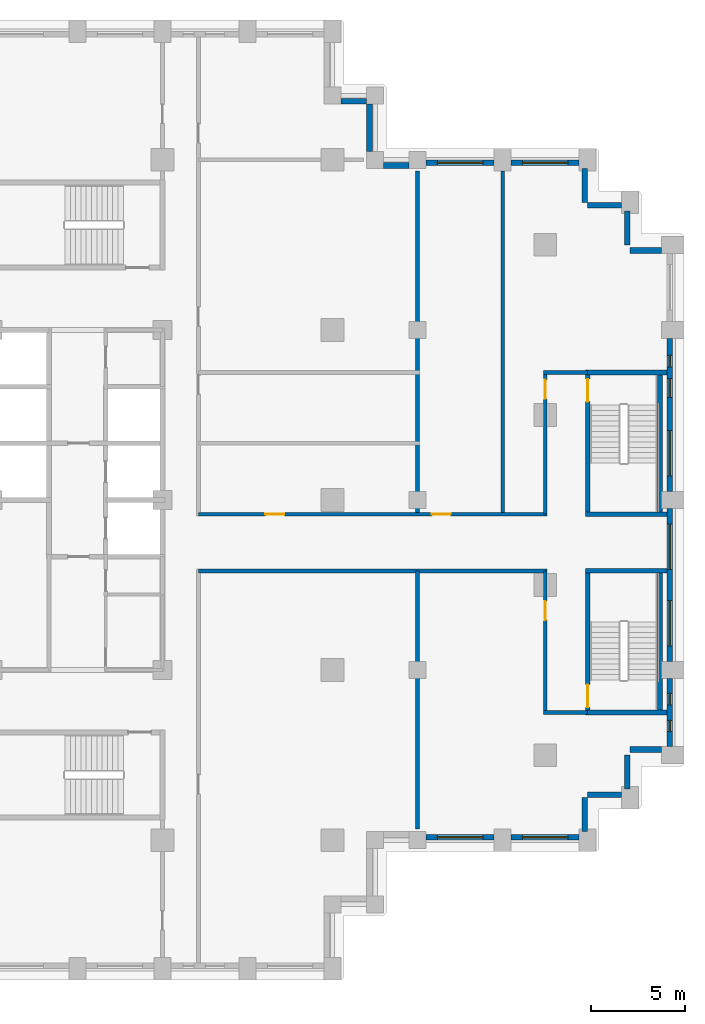
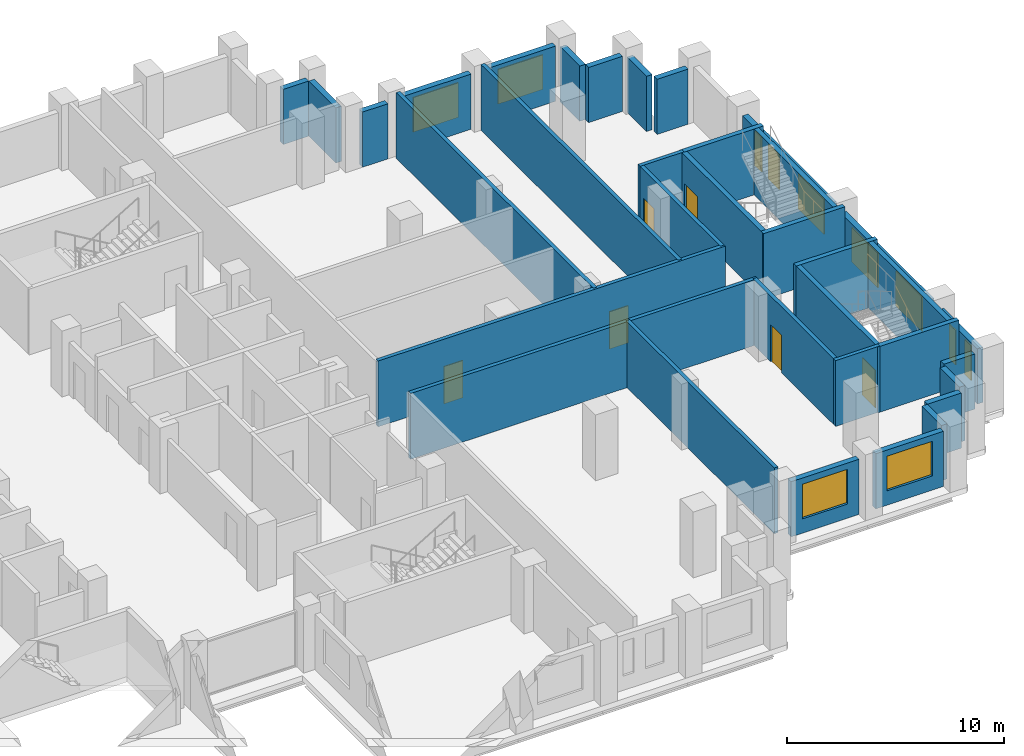
# One storey, part 11 of 15: 35 walls, 11 windows, 6 doors, 17 openings.
"""IFC4 building model written with IfcOpenShell, lengths in metres."""

import ifcopenshell
import ifcopenshell.guid

model = None  # the IFC model being written
_history = None  # IfcOwnerHistory: only IFC2X3 demands one
_inside = {}  # id of a spatial element -> (the spatial element, [elements in it])
_under = {}  # id of a project, library or spatial element -> (it, [spatial elements below it])
_declared = {}  # id of a project -> (the project, [libraries it declares])
_typed = {}  # id of a type object -> (the type object, [elements of that type])
_made_of = {}  # id of a material, layer set ... -> (it, [elements and type objects made of it])


def new_model(schema):
    """Start an empty IFC model of exactly this schema.

    Asked for "IFC4X3", IfcOpenShell would pick the latest addendum, in which some entities
    have other attributes; the version numbers below select the first issue.
    IFC2X3 requires an IfcOwnerHistory on every rooted entity: one is made here for all.
    """
    global model, _history
    if schema == "IFC4X3":
        model = ifcopenshell.file(schema_version=(4, 3, 0, 0))
    else:
        model = ifcopenshell.file(schema=schema)
    _inside.clear()
    _under.clear()
    _declared.clear()
    _typed.clear()
    _made_of.clear()
    _history = None
    if model.schema == "IFC2X3":
        org = make("IfcOrganization", Name="unknown")
        user = make(
            "IfcPersonAndOrganization",
            ThePerson=make("IfcPerson", FamilyName="unknown"),
            TheOrganization=org,
        )
        app = make(
            "IfcApplication",
            ApplicationDeveloper=org,
            Version="unknown",
            ApplicationFullName="unknown",
            ApplicationIdentifier="unknown",
        )
        _history = make(
            "IfcOwnerHistory",
            OwningUser=user,
            OwningApplication=app,
            ChangeAction="ADDED",
            CreationDate=0,
        )
    return model


def make(cls, **values):
    """One entity of the class cls with the attributes given. An attribute that is None is left unset."""
    return model.create_entity(
        cls, **{name: value for name, value in values.items() if value is not None}
    )


def rooted(cls, **values):
    """An entity with a GlobalId (a new one), such as an element, a storey or a relation."""
    return make(cls, GlobalId=ifcopenshell.guid.new(), OwnerHistory=_history, **values)


def si_unit(unit_type, name, prefix=None):
    """IfcSIUnit, for example si_unit("LENGTHUNIT", "METRE", prefix="MILLI")."""
    return make("IfcSIUnit", UnitType=unit_type, Prefix=prefix, Name=name)


def assignment(units):
    """IfcUnitAssignment: the units of a project."""
    return None if units is None else make("IfcUnitAssignment", Units=units)


def point(xyz):
    """IfcCartesianPoint."""
    return None if xyz is None else make("IfcCartesianPoint", Coordinates=xyz)


def direction(xyz):
    """IfcDirection."""
    return None if xyz is None else make("IfcDirection", DirectionRatios=xyz)


def frame(location, z_axis=None, x_axis=None):
    """IfcAxis2Placement3D, a coordinate frame: its origin and axes. An axis left out is left unset."""
    return make(
        "IfcAxis2Placement3D",
        Location=point(location),
        Axis=direction(z_axis),
        RefDirection=direction(x_axis),
    )


def frame_2d(location, x_axis=None):
    """IfcAxis2Placement2D, a coordinate frame in the plane: its origin and x axis."""
    return make(
        "IfcAxis2Placement2D", Location=point(location), RefDirection=direction(x_axis)
    )


def origin():
    """The frame at (0, 0, 0) with its axes left unset."""
    return frame((0.0, 0.0, 0.0))


def place(relative_to, where):
    """IfcLocalPlacement: puts the frame where relative to a parent placement (None: the world)."""
    return make(
        "IfcLocalPlacement", PlacementRelTo=relative_to, RelativePlacement=where
    )


def context(
    kind, dimensions, precision=None, world=None, true_north=None, identifier=None
):
    """IfcGeometricRepresentationContext, for example the 3D "Model" context."""
    return make(
        "IfcGeometricRepresentationContext",
        ContextIdentifier=identifier,
        ContextType=kind,
        CoordinateSpaceDimension=dimensions,
        Precision=precision,
        WorldCoordinateSystem=world,
        TrueNorth=true_north,
    )


def subcontext(parent, identifier, kind, view, scale=None):
    """IfcGeometricRepresentationSubContext, for example "Body" below "Model"."""
    return make(
        "IfcGeometricRepresentationSubContext",
        ContextIdentifier=identifier,
        ContextType=kind,
        ParentContext=parent,
        TargetScale=scale,
        TargetView=view,
    )


def project(units=None, contexts=None):
    """IfcProject with its units and contexts."""
    return rooted(
        "IfcProject",
        Name="project",
        RepresentationContexts=contexts,
        UnitsInContext=assignment(units),
    )


def spatial(cls, under=None, at=None, **own):
    """A site, building, storey or space (cls), placed at a placement, below another one or the project."""
    s = rooted(cls, ObjectPlacement=at, **own)
    if under is not None:
        _under.setdefault(under.id(), (under, []))[1].append(s)
    return s


def profile(cls, at=None, kind="AREA", **sizes):
    """A parametric profile (cls). Its sizes go by their IFC names, for example OverallWidth=200.0."""
    return make(cls, ProfileType=kind, Position=at, **sizes)


def rectangle(**sizes):
    """IfcRectangleProfileDef."""
    return profile("IfcRectangleProfileDef", **sizes)


def extrude(swept, where, along, depth):
    """IfcExtrudedAreaSolid: the profile swept, set in the frame where, extruded along a direction by depth."""
    return make(
        "IfcExtrudedAreaSolid",
        SweptArea=swept,
        Position=where,
        ExtrudedDirection=direction(along),
        Depth=depth,
    )


def shape(context_of_items, identifier, shape_type, items):
    """IfcShapeRepresentation: the items that make up one representation, for example the "Body"."""
    return make(
        "IfcShapeRepresentation",
        ContextOfItems=context_of_items,
        RepresentationIdentifier=identifier,
        RepresentationType=shape_type,
        Items=items,
    )


def material(Name=None, Category=None):
    """IfcMaterial."""
    return make("IfcMaterial", Name=Name, Category=Category)


def layer(
    of_material, thickness, ventilated=None, Name=None, Category=None, Priority=None
):
    """IfcMaterialLayer: one layer of a wall or slab, of a material (None: an air gap)."""
    return make(
        "IfcMaterialLayer",
        Material=of_material,
        LayerThickness=thickness,
        IsVentilated=ventilated,
        Name=Name,
        Category=Category,
        Priority=Priority,
    )


def layer_set(layers, Name=None):
    """IfcMaterialLayerSet."""
    return make("IfcMaterialLayerSet", MaterialLayers=layers, LayerSetName=Name)


def made_of(thing, what):
    """Note that an element or type object is made of a material, layer set ...; save() writes the relation."""
    if what is not None:
        _made_of.setdefault(what.id(), (what, []))[1].append(thing)
    return thing


def type_object(cls, material=None, **own):
    """A type object (cls), such as IfcWallType, which elements share."""
    return made_of(rooted(cls, **own), material)


def element(
    cls,
    number,
    at=None,
    inside=None,
    cuts=None,
    type_object=None,
    material=None,
    context=None,
    identifier="Body",
    shape_type=None,
    held_by="IfcProductDefinitionShape",
    body=None,
    shapes=None,
    **own,
):
    """One element of the class cls, such as IfcWall. Its Tag is "e" and its number.

    at: its placement. inside: the storey or other place that contains it. cuts: it is an
    opening in that element (IfcRelVoidsElement). A single representation is given by context,
    identifier, shape_type and body (its items); several are given by shapes. held_by: the class
    of the entity that holds the representations. save() writes the other relations.
    """
    e = rooted(cls, Tag="e%d" % number, ObjectPlacement=at, **own)
    if body is not None:
        shapes = [shape(context, identifier, shape_type, body)]
    if shapes is not None:
        e.Representation = make(held_by, Representations=shapes)
    if inside is not None:
        _inside.setdefault(inside.id(), (inside, []))[1].append(e)
    if cuts is not None:
        rooted(
            "IfcRelVoidsElement", RelatingBuildingElement=cuts, RelatedOpeningElement=e
        )
    if type_object is not None:
        _typed.setdefault(type_object.id(), (type_object, []))[1].append(e)
    return made_of(e, material)


def fill(opening, filler):
    """IfcRelFillsElement: the door or window that sits in an opening."""
    return rooted(
        "IfcRelFillsElement",
        RelatingOpeningElement=opening,
        RelatedBuildingElement=filler,
    )


def aggregate(whole, parts):
    """IfcRelAggregates: a whole, such as a stair, and the parts it consists of."""
    return rooted("IfcRelAggregates", RelatingObject=whole, RelatedObjects=parts)


def save(model, path):
    """Write the relations noted so far, then the file.

    IfcRelAggregates (storeys below a building ...), IfcRelContainedInSpatialStructure (elements
    in a storey), IfcRelDefinesByType, IfcRelAssociatesMaterial and IfcRelDeclares: one each for
    every whole, place, type object, material and project.
    """
    for whole, parts in _under.values():
        aggregate(whole, parts)
    for where, things in _inside.values():
        rooted(
            "IfcRelContainedInSpatialStructure",
            RelatedElements=things,
            RelatingStructure=where,
        )
    for kind, things in _typed.values():
        rooted("IfcRelDefinesByType", RelatedObjects=things, RelatingType=kind)
    for what, things in _made_of.values():
        rooted("IfcRelAssociatesMaterial", RelatedObjects=things, RelatingMaterial=what)
    for by, libraries in _declared.values():
        rooted("IfcRelDeclares", RelatingContext=by, RelatedDefinitions=libraries)
    model.write(path)


model = new_model("IFC4")

# Units and contexts
model_context = context("Model", 3, precision=1e-05, world=origin(), true_north=direction((0.0, 1.0)))
body_context = subcontext(model_context, "Body", "Model", "MODEL_VIEW")
ifc_project = project(units=[si_unit("LENGTHUNIT", "METRE"), si_unit("AREAUNIT", "SQUARE_METRE"), si_unit("VOLUMEUNIT", "CUBIC_METRE"), si_unit("PLANEANGLEUNIT", "RADIAN"), si_unit("MASSUNIT", "GRAM", prefix="KILO")], contexts=[model_context])

# Site, building, storey
site_placement = place(None, origin())
site = spatial("IfcSite", under=ifc_project, at=site_placement, CompositionType="ELEMENT")
building_placement = place(site_placement, origin())
building = spatial("IfcBuilding", under=site, at=building_placement, Name="Corbelhall Arena Tower", CompositionType="ELEMENT")
storey_placement = place(building_placement, frame((0.0, 0.0, 88.0)))
storey = spatial("IfcBuildingStorey", under=building, at=storey_placement, Name="L14", CompositionType="ELEMENT", Elevation=88.0)

# Walls
ifc_material_1 = material(Name="Precast concrete C40/50 with granite facing", Category="masonry")
ifc_layer_1 = layer(ifc_material_1, 0.300048828125)
ifc_layer_set_1 = layer_set([ifc_layer_1], Name="EV-IW1 Infill panel 300")
wall_type_1 = type_object("IfcWallType", Name="EV-IW1 Infill panel 300", PredefinedType="SOLIDWALL", material=ifc_layer_set_1)
for number, where, z_axis, x_axis, name in (
    (1, (35.85009765625, -17.550048828125, 0.0), (0.0, 0.0, 1.0), (0.0, 1.0, 0.0), "Infill panel IW1"),
    (2, (37.800048828125, -15.60009765625, 0.0), (0.0, 0.0, 1.0), (-1.0, 0.0, 0.0), "Infill panel IW1"),
    (3, (38.10009765625, -15.300048828125, 0.0), (0.0, 0.0, 1.0), (0.0, 1.0, 0.0), "Infill panel IW1"),
):
    element("IfcWall", number, at=place(storey_placement, frame(where, z_axis=z_axis, x_axis=x_axis)), inside=storey, type_object=wall_type_1, Name=name, PredefinedType="SOLIDWALL", context=body_context, shape_type="SweptSolid", body=[
        extrude(rectangle(XDim=1.800048828125, YDim=0.300048828125, at=frame_2d((0.89990234375, 0.0))), origin(), (0.0, 0.0, 1.0), 3.10009765625),
    ])
for number, where, z_axis, x_axis, name in (
    (4, (39.89990234375, -13.199951171875, 0.0), (0.0, 0.0, 1.0), (-1.0, 0.0, 0.0), "Infill panel IW1"),
    (5, (39.89990234375, 13.199951171875, 0.0), (0.0, 0.0, 1.0), (-1.0, 0.0, 0.0), "Infill panel IW1"),
):
    element("IfcWall", number, at=place(storey_placement, frame(where, z_axis=z_axis, x_axis=x_axis)), inside=storey, type_object=wall_type_1, Name=name, PredefinedType="SOLIDWALL", context=body_context, shape_type="SweptSolid", body=[
        extrude(rectangle(XDim=1.64990234375, YDim=0.300048828125, at=frame_2d((0.824951171875, 0.0))), origin(), (0.0, 0.0, 1.0), 3.10009765625),
    ])
for number, where, z_axis, x_axis, name in (
    (6, (38.10009765625, 15.300048828125, 0.0), (0.0, 0.0, 1.0), (0.0, -1.0, 0.0), "Infill panel IW1"),
    (7, (37.800048828125, 15.60009765625, 0.0), (0.0, 0.0, 1.0), (-1.0, 0.0, 0.0), "Infill panel IW1"),
    (8, (35.85009765625, 17.550048828125, 0.0), (0.0, 0.0, 1.0), (0.0, -1.0, 0.0), "Infill panel IW1"),
):
    element("IfcWall", number, at=place(storey_placement, frame(where, z_axis=z_axis, x_axis=x_axis)), inside=storey, type_object=wall_type_1, Name=name, PredefinedType="SOLIDWALL", context=body_context, shape_type="SweptSolid", body=[
        extrude(rectangle(XDim=1.800048828125, YDim=0.300048828125, at=frame_2d((0.89990234375, 0.0))), origin(), (0.0, 0.0, 1.0), 3.10009765625),
    ])

# Wall, opening, window
wall_1_placement = place(storey_placement, frame((27.449951171875, -17.85009765625, 0.0), z_axis=(0.0, 0.0, 1.0), x_axis=(1.0, 0.0, 0.0)))
wall_1 = element("IfcWall", 9, at=wall_1_placement, inside=storey, type_object=wall_type_1, Name="Infill panel IW1", PredefinedType="SOLIDWALL", context=body_context, shape_type="SweptSolid", body=[
    extrude(rectangle(XDim=3.60009765625, YDim=0.300048828125, at=frame_2d((1.800048828125, 0.0))), origin(), (0.0, 0.0, 1.0), 3.10009765625),
])
opening_1_placement = place(wall_1_placement, frame((0.60009765625, 0.0, 0.800048828125)))
opening_1 = element("IfcOpeningElement", 10, at=opening_1_placement, cuts=wall_1, Name="Opening WN1", PredefinedType="OPENING", context=body_context, shape_type="SweptSolid", body=[
    extrude(rectangle(XDim=2.39990234375, YDim=1.949951171875, at=frame_2d((1.199951171875, 0.97509765625))), frame((0.0, 0.14990234375, 0.0), z_axis=(0.0, -1.0, 0.0), x_axis=(1.0, 0.0, 0.0)), (0.0, 0.0, 1.0), 0.300048828125),
])
ifc_material_2 = material(Name="Aluminium black anodised", Category="aluminium")
window_type_1 = type_object("IfcWindowType", Name="EV-WN1 Office window", PartitioningType="SINGLE_PANEL", PredefinedType="WINDOW", material=ifc_material_2)
window_1_placement = place(opening_1_placement, origin())
window_1 = element("IfcWindow", 11, at=window_1_placement, inside=storey, type_object=window_type_1, Name="Window WN1", OverallHeight=1.949951171875, OverallWidth=2.39990234375, PartitioningType="SINGLE_PANEL", PredefinedType="WINDOW", context=body_context, shape_type="SweptSolid", body=[
    extrude(rectangle(XDim=2.39990234375, YDim=1.949951171875, at=frame_2d((1.199951171875, 0.97509765625))), frame((0.0, 0.030029296875, 0.0), z_axis=(0.0, -1.0, 0.0), x_axis=(1.0, 0.0, 0.0)), (0.0, 0.0, 1.0), 0.06005859375),
])
fill(opening_1, window_1)

wall_2_placement = place(storey_placement, frame((31.949951171875, -17.85009765625, 0.0), z_axis=(0.0, 0.0, 1.0), x_axis=(1.0, 0.0, 0.0)))
wall_2 = element("IfcWall", 12, at=wall_2_placement, inside=storey, type_object=wall_type_1, Name="Infill panel IW1", PredefinedType="SOLIDWALL", context=body_context, shape_type="SweptSolid", body=[
    extrude(rectangle(XDim=3.60009765625, YDim=0.300048828125, at=frame_2d((1.800048828125, 0.0))), origin(), (0.0, 0.0, 1.0), 3.10009765625),
])
opening_2_placement = place(wall_2_placement, frame((0.60009765625, 0.0, 0.800048828125)))
opening_2 = element("IfcOpeningElement", 13, at=opening_2_placement, cuts=wall_2, Name="Opening WN1", PredefinedType="OPENING", context=body_context, shape_type="SweptSolid", body=[
    extrude(rectangle(XDim=2.39990234375, YDim=1.949951171875, at=frame_2d((1.199951171875, 0.97509765625))), frame((0.0, 0.14990234375, 0.0), z_axis=(0.0, -1.0, 0.0), x_axis=(1.0, 0.0, 0.0)), (0.0, 0.0, 1.0), 0.300048828125),
])
window_2_placement = place(opening_2_placement, origin())
window_2 = element("IfcWindow", 14, at=window_2_placement, inside=storey, type_object=window_type_1, Name="Window WN1", OverallHeight=1.949951171875, OverallWidth=2.39990234375, PartitioningType="SINGLE_PANEL", PredefinedType="WINDOW", context=body_context, shape_type="SweptSolid", body=[
    extrude(rectangle(XDim=2.39990234375, YDim=1.949951171875, at=frame_2d((1.199951171875, 0.97509765625))), frame((0.0, 0.030029296875, 0.0), z_axis=(0.0, -1.0, 0.0), x_axis=(1.0, 0.0, 0.0)), (0.0, 0.0, 1.0), 0.06005859375),
])
fill(opening_2, window_2)

# Wall, openings, windows
wall_3_placement = place(storey_placement, frame((40.35009765625, -13.050048828125, 0.0), z_axis=(0.0, 0.0, 1.0), x_axis=(0.0, 1.0, 0.0)))
wall_3 = element("IfcWall", 15, at=wall_3_placement, inside=storey, type_object=wall_type_1, Name="Infill panel IW1", PredefinedType="SOLIDWALL", context=body_context, shape_type="SweptSolid", body=[
    extrude(rectangle(XDim=3.60009765625, YDim=0.300048828125, at=frame_2d((1.800048828125, 0.0))), origin(), (0.0, 0.0, 1.0), 3.10009765625),
])
opening_3_placement = place(wall_3_placement, frame((0.78759765625, 0.0, 0.800048828125)))
opening_3 = element("IfcOpeningElement", 16, at=opening_3_placement, cuts=wall_3, Name="Opening WN5", PredefinedType="OPENING", context=body_context, shape_type="SweptSolid", body=[
    extrude(rectangle(XDim=0.60009765625, YDim=1.949951171875, at=frame_2d((0.300048828125, 0.97509765625))), frame((0.0, 0.14990234375, 0.0), z_axis=(0.0, -1.0, 0.0), x_axis=(1.0, 0.0, 0.0)), (0.0, 0.0, 1.0), 0.300048828125),
])
opening_4_placement = place(wall_3_placement, frame((2.21240234375, 0.0, 0.800048828125)))
opening_4 = element("IfcOpeningElement", 17, at=opening_4_placement, cuts=wall_3, Name="Opening WN5", PredefinedType="OPENING", context=body_context, shape_type="SweptSolid", body=[
    extrude(rectangle(XDim=0.60009765625, YDim=1.949951171875, at=frame_2d((0.300048828125, 0.97509765625))), frame((0.0, 0.14990234375, 0.0), z_axis=(0.0, -1.0, 0.0), x_axis=(1.0, 0.0, 0.0)), (0.0, 0.0, 1.0), 0.300048828125),
])
window_type_2 = type_object("IfcWindowType", Name="EV-WN5 Office window 600", PartitioningType="SINGLE_PANEL", PredefinedType="WINDOW", material=ifc_material_2)
window_3_placement = place(opening_3_placement, origin())
window_3 = element("IfcWindow", 18, at=window_3_placement, inside=storey, type_object=window_type_2, Name="Window WN5", OverallHeight=1.949951171875, OverallWidth=0.60009765625, PartitioningType="SINGLE_PANEL", PredefinedType="WINDOW", context=body_context, shape_type="SweptSolid", body=[
    extrude(rectangle(XDim=0.60009765625, YDim=1.949951171875, at=frame_2d((0.300048828125, 0.97509765625))), frame((0.0, 0.030029296875, 0.0), z_axis=(0.0, -1.0, 0.0), x_axis=(1.0, 0.0, 0.0)), (0.0, 0.0, 1.0), 0.06005859375),
])
fill(opening_3, window_3)
window_4_placement = place(opening_4_placement, origin())
window_4 = element("IfcWindow", 19, at=window_4_placement, inside=storey, type_object=window_type_2, Name="Window WN5", OverallHeight=1.949951171875, OverallWidth=0.60009765625, PartitioningType="SINGLE_PANEL", PredefinedType="WINDOW", context=body_context, shape_type="SweptSolid", body=[
    extrude(rectangle(XDim=0.60009765625, YDim=1.949951171875, at=frame_2d((0.300048828125, 0.97509765625))), frame((0.0, 0.030029296875, 0.0), z_axis=(0.0, -1.0, 0.0), x_axis=(1.0, 0.0, 0.0)), (0.0, 0.0, 1.0), 0.06005859375),
])
fill(opening_4, window_4)

wall_4_placement = place(storey_placement, frame((40.35009765625, -8.550048828125, 0.0), z_axis=(0.0, 0.0, 1.0), x_axis=(0.0, 1.0, 0.0)))
wall_4 = element("IfcWall", 20, at=wall_4_placement, inside=storey, type_object=wall_type_1, Name="Infill panel IW1", PredefinedType="SOLIDWALL", context=body_context, shape_type="SweptSolid", body=[
    extrude(rectangle(XDim=8.10009765625, YDim=0.300048828125, at=frame_2d((4.050048828125, 0.0))), origin(), (0.0, 0.0, 1.0), 3.10009765625),
])
opening_5_placement = place(wall_4_placement, frame((0.824951171875, 0.0, 0.800048828125)))
opening_5 = element("IfcOpeningElement", 21, at=opening_5_placement, cuts=wall_4, Name="Opening WN1", PredefinedType="OPENING", context=body_context, shape_type="SweptSolid", body=[
    extrude(rectangle(XDim=2.39990234375, YDim=1.949951171875, at=frame_2d((1.199951171875, 0.97509765625))), frame((0.0, 0.14990234375, 0.0), z_axis=(0.0, -1.0, 0.0), x_axis=(1.0, 0.0, 0.0)), (0.0, 0.0, 1.0), 0.300048828125),
])
opening_6_placement = place(wall_4_placement, frame((4.875, 0.0, 0.800048828125)))
opening_6 = element("IfcOpeningElement", 22, at=opening_6_placement, cuts=wall_4, Name="Opening WN1", PredefinedType="OPENING", context=body_context, shape_type="SweptSolid", body=[
    extrude(rectangle(XDim=2.39990234375, YDim=1.949951171875, at=frame_2d((1.199951171875, 0.97509765625))), frame((0.0, 0.14990234375, 0.0), z_axis=(0.0, -1.0, 0.0), x_axis=(1.0, 0.0, 0.0)), (0.0, 0.0, 1.0), 0.300048828125),
])
window_5_placement = place(opening_5_placement, origin())
window_5 = element("IfcWindow", 23, at=window_5_placement, inside=storey, type_object=window_type_1, Name="Window WN1", OverallHeight=1.949951171875, OverallWidth=2.39990234375, PartitioningType="SINGLE_PANEL", PredefinedType="WINDOW", context=body_context, shape_type="SweptSolid", body=[
    extrude(rectangle(XDim=2.39990234375, YDim=1.949951171875, at=frame_2d((1.199951171875, 0.97509765625))), frame((0.0, 0.030029296875, 0.0), z_axis=(0.0, -1.0, 0.0), x_axis=(1.0, 0.0, 0.0)), (0.0, 0.0, 1.0), 0.06005859375),
])
fill(opening_5, window_5)
window_6_placement = place(opening_6_placement, origin())
window_6 = element("IfcWindow", 24, at=window_6_placement, inside=storey, type_object=window_type_1, Name="Window WN1", OverallHeight=1.949951171875, OverallWidth=2.39990234375, PartitioningType="SINGLE_PANEL", PredefinedType="WINDOW", context=body_context, shape_type="SweptSolid", body=[
    extrude(rectangle(XDim=2.39990234375, YDim=1.949951171875, at=frame_2d((1.199951171875, 0.97509765625))), frame((0.0, 0.030029296875, 0.0), z_axis=(0.0, -1.0, 0.0), x_axis=(1.0, 0.0, 0.0)), (0.0, 0.0, 1.0), 0.06005859375),
])
fill(opening_6, window_6)

wall_5_placement = place(storey_placement, frame((40.35009765625, 0.449951171875, 0.0), z_axis=(0.0, 0.0, 1.0), x_axis=(0.0, 1.0, 0.0)))
wall_5 = element("IfcWall", 25, at=wall_5_placement, inside=storey, type_object=wall_type_1, Name="Infill panel IW1", PredefinedType="SOLIDWALL", context=body_context, shape_type="SweptSolid", body=[
    extrude(rectangle(XDim=8.10009765625, YDim=0.300048828125, at=frame_2d((4.050048828125, 0.0))), origin(), (0.0, 0.0, 1.0), 3.10009765625),
])
opening_7_placement = place(wall_5_placement, frame((0.824951171875, 0.0, 0.800048828125)))
opening_7 = element("IfcOpeningElement", 26, at=opening_7_placement, cuts=wall_5, Name="Opening WN1", PredefinedType="OPENING", context=body_context, shape_type="SweptSolid", body=[
    extrude(rectangle(XDim=2.39990234375, YDim=1.949951171875, at=frame_2d((1.199951171875, 0.97509765625))), frame((0.0, 0.14990234375, 0.0), z_axis=(0.0, -1.0, 0.0), x_axis=(1.0, 0.0, 0.0)), (0.0, 0.0, 1.0), 0.300048828125),
])
opening_8_placement = place(wall_5_placement, frame((4.97509765625, 0.0, 0.800048828125)))
opening_8 = element("IfcOpeningElement", 27, at=opening_8_placement, cuts=wall_5, Name="Opening WN6", PredefinedType="OPENING", context=body_context, shape_type="SweptSolid", body=[
    extrude(rectangle(XDim=1.0, YDim=1.949951171875, at=frame_2d((0.5, 0.97509765625))), frame((0.0, 0.14990234375, 0.0), z_axis=(0.0, -1.0, 0.0), x_axis=(1.0, 0.0, 0.0)), (0.0, 0.0, 1.0), 0.300048828125),
])
opening_9_placement = place(wall_5_placement, frame((6.60009765625, 0.0, 0.800048828125)))
opening_9 = element("IfcOpeningElement", 28, at=opening_9_placement, cuts=wall_5, Name="Opening WN5", PredefinedType="OPENING", context=body_context, shape_type="SweptSolid", body=[
    extrude(rectangle(XDim=0.60009765625, YDim=1.949951171875, at=frame_2d((0.300048828125, 0.97509765625))), frame((0.0, 0.14990234375, 0.0), z_axis=(0.0, -1.0, 0.0), x_axis=(1.0, 0.0, 0.0)), (0.0, 0.0, 1.0), 0.300048828125),
])
window_7_placement = place(opening_7_placement, origin())
window_7 = element("IfcWindow", 29, at=window_7_placement, inside=storey, type_object=window_type_1, Name="Window WN1", OverallHeight=1.949951171875, OverallWidth=2.39990234375, PartitioningType="SINGLE_PANEL", PredefinedType="WINDOW", context=body_context, shape_type="SweptSolid", body=[
    extrude(rectangle(XDim=2.39990234375, YDim=1.949951171875, at=frame_2d((1.199951171875, 0.97509765625))), frame((0.0, 0.030029296875, 0.0), z_axis=(0.0, -1.0, 0.0), x_axis=(1.0, 0.0, 0.0)), (0.0, 0.0, 1.0), 0.06005859375),
])
fill(opening_7, window_7)
window_8_placement = place(opening_9_placement, origin())
window_8 = element("IfcWindow", 30, at=window_8_placement, inside=storey, type_object=window_type_2, Name="Window WN5", OverallHeight=1.949951171875, OverallWidth=0.60009765625, PartitioningType="SINGLE_PANEL", PredefinedType="WINDOW", context=body_context, shape_type="SweptSolid", body=[
    extrude(rectangle(XDim=0.60009765625, YDim=1.949951171875, at=frame_2d((0.300048828125, 0.97509765625))), frame((0.0, 0.030029296875, 0.0), z_axis=(0.0, -1.0, 0.0), x_axis=(1.0, 0.0, 0.0)), (0.0, 0.0, 1.0), 0.06005859375),
])
fill(opening_9, window_8)
window_type_3 = type_object("IfcWindowType", Name="EV-WN6 Office window 1000", PartitioningType="SINGLE_PANEL", PredefinedType="WINDOW", material=ifc_material_2)
window_9_placement = place(opening_8_placement, origin())
window_9 = element("IfcWindow", 31, at=window_9_placement, inside=storey, type_object=window_type_3, Name="Window WN6", OverallHeight=1.949951171875, OverallWidth=1.0, PartitioningType="SINGLE_PANEL", PredefinedType="WINDOW", context=body_context, shape_type="SweptSolid", body=[
    extrude(rectangle(XDim=1.0, YDim=1.949951171875, at=frame_2d((0.5, 0.97509765625))), frame((0.0, 0.030029296875, 0.0), z_axis=(0.0, -1.0, 0.0), x_axis=(1.0, 0.0, 0.0)), (0.0, 0.0, 1.0), 0.06005859375),
])
fill(opening_8, window_9)

# Wall, opening, window
wall_6_placement = place(storey_placement, frame((35.550048828125, 17.85009765625, 0.0), z_axis=(0.0, 0.0, 1.0), x_axis=(-1.0, 0.0, 0.0)))
wall_6 = element("IfcWall", 32, at=wall_6_placement, inside=storey, type_object=wall_type_1, Name="Infill panel IW1", PredefinedType="SOLIDWALL", context=body_context, shape_type="SweptSolid", body=[
    extrude(rectangle(XDim=3.60009765625, YDim=0.300048828125, at=frame_2d((1.800048828125, 0.0))), origin(), (0.0, 0.0, 1.0), 3.10009765625),
])
opening_10_placement = place(wall_6_placement, frame((0.60009765625, 0.0, 0.800048828125)))
opening_10 = element("IfcOpeningElement", 33, at=opening_10_placement, cuts=wall_6, Name="Opening WN1", PredefinedType="OPENING", context=body_context, shape_type="SweptSolid", body=[
    extrude(rectangle(XDim=2.39990234375, YDim=1.949951171875, at=frame_2d((1.199951171875, 0.97509765625))), frame((0.0, 0.14990234375, 0.0), z_axis=(0.0, -1.0, 0.0), x_axis=(1.0, 0.0, 0.0)), (0.0, 0.0, 1.0), 0.300048828125),
])
window_10_placement = place(opening_10_placement, origin())
window_10 = element("IfcWindow", 34, at=window_10_placement, inside=storey, type_object=window_type_1, Name="Window WN1", OverallHeight=1.949951171875, OverallWidth=2.39990234375, PartitioningType="SINGLE_PANEL", PredefinedType="WINDOW", context=body_context, shape_type="SweptSolid", body=[
    extrude(rectangle(XDim=2.39990234375, YDim=1.949951171875, at=frame_2d((1.199951171875, 0.97509765625))), frame((0.0, 0.030029296875, 0.0), z_axis=(0.0, -1.0, 0.0), x_axis=(1.0, 0.0, 0.0)), (0.0, 0.0, 1.0), 0.06005859375),
])
fill(opening_10, window_10)

wall_7_placement = place(storey_placement, frame((31.050048828125, 17.85009765625, 0.0), z_axis=(0.0, 0.0, 1.0), x_axis=(-1.0, 0.0, 0.0)))
wall_7 = element("IfcWall", 35, at=wall_7_placement, inside=storey, type_object=wall_type_1, Name="Infill panel IW1", PredefinedType="SOLIDWALL", context=body_context, shape_type="SweptSolid", body=[
    extrude(rectangle(XDim=3.60009765625, YDim=0.300048828125, at=frame_2d((1.800048828125, 0.0))), origin(), (0.0, 0.0, 1.0), 3.10009765625),
])
opening_11_placement = place(wall_7_placement, frame((0.60009765625, 0.0, 0.800048828125)))
opening_11 = element("IfcOpeningElement", 36, at=opening_11_placement, cuts=wall_7, Name="Opening WN1", PredefinedType="OPENING", context=body_context, shape_type="SweptSolid", body=[
    extrude(rectangle(XDim=2.39990234375, YDim=1.949951171875, at=frame_2d((1.199951171875, 0.97509765625))), frame((0.0, 0.14990234375, 0.0), z_axis=(0.0, -1.0, 0.0), x_axis=(1.0, 0.0, 0.0)), (0.0, 0.0, 1.0), 0.300048828125),
])
window_11_placement = place(opening_11_placement, origin())
window_11 = element("IfcWindow", 37, at=window_11_placement, inside=storey, type_object=window_type_1, Name="Window WN1", OverallHeight=1.949951171875, OverallWidth=2.39990234375, PartitioningType="SINGLE_PANEL", PredefinedType="WINDOW", context=body_context, shape_type="SweptSolid", body=[
    extrude(rectangle(XDim=2.39990234375, YDim=1.949951171875, at=frame_2d((1.199951171875, 0.97509765625))), frame((0.0, 0.030029296875, 0.0), z_axis=(0.0, -1.0, 0.0), x_axis=(1.0, 0.0, 0.0)), (0.0, 0.0, 1.0), 0.06005859375),
])
fill(opening_11, window_11)

# Walls
wall_8_placement = place(storey_placement, frame((26.550048828125, 17.699951171875, 0.0), z_axis=(0.0, 0.0, 1.0), x_axis=(-1.0, 0.0, 0.0)))
element("IfcWall", 38, at=wall_8_placement, inside=storey, type_object=wall_type_1, Name="Infill panel IW1", PredefinedType="SOLIDWALL", context=body_context, shape_type="SweptSolid", body=[
    extrude(rectangle(XDim=1.35009765625, YDim=0.300048828125, at=frame_2d((0.675048828125, 0.0))), origin(), (0.0, 0.0, 1.0), 3.10009765625),
])
wall_9_placement = place(storey_placement, frame((24.449951171875, 18.449951171875, 0.0), z_axis=(0.0, 0.0, 1.0), x_axis=(0.0, 1.0, 0.0)))
element("IfcWall", 39, at=wall_9_placement, inside=storey, type_object=wall_type_1, Name="Infill panel IW1", PredefinedType="SOLIDWALL", context=body_context, shape_type="SweptSolid", body=[
    extrude(rectangle(XDim=2.5, YDim=0.300048828125, at=frame_2d((1.25, 0.0))), origin(), (0.0, 0.0, 1.0), 3.10009765625),
])
wall_10_placement = place(storey_placement, frame((24.300048828125, 21.10009765625, 0.0), z_axis=(0.0, 0.0, 1.0), x_axis=(-1.0, 0.0, 0.0)))
element("IfcWall", 40, at=wall_10_placement, inside=storey, type_object=wall_type_1, Name="Infill panel IW1", PredefinedType="SOLIDWALL", context=body_context, shape_type="SweptSolid", body=[
    extrude(rectangle(XDim=1.35009765625, YDim=0.300048828125, at=frame_2d((0.675048828125, 0.0))), origin(), (0.0, 0.0, 1.0), 3.10009765625),
])

# Wall, openings, doors
ifc_material_3 = material(Name="Gypsum board on steel stud, acoustic", Category="steel")
ifc_layer_2 = layer(ifc_material_3, 0.199951171875)
ifc_layer_set_2 = layer_set([ifc_layer_2], Name="IN-W-DM200")
wall_type_2 = type_object("IfcWallType", Name="IN-W-DM200", PredefinedType="PARTITIONING", material=ifc_layer_set_2)
wall_11_placement = place(storey_placement, frame((15.39990234375, -0.75, 0.0), z_axis=(0.0, 0.0, 1.0), x_axis=(1.0, 0.0, 0.0)))
wall_11 = element("IfcWall", 41, at=wall_11_placement, inside=storey, type_object=wall_type_2, Name="Partition 029", PredefinedType="PARTITIONING", context=body_context, shape_type="SweptSolid", body=[
    extrude(rectangle(XDim=18.4501953125, YDim=0.199951171875, at=frame_2d((9.22509765625, 0.0))), origin(), (0.0, 0.0, 1.0), 3.699951171875),
])
opening_12_placement = place(wall_11_placement, frame((3.550048828125, 0.0, 0.0)))
opening_12 = element("IfcOpeningElement", 42, at=opening_12_placement, cuts=wall_11, Name="Opening 02032", PredefinedType="OPENING", context=body_context, shape_type="SweptSolid", body=[
    extrude(rectangle(XDim=1.0, YDim=2.10009765625, at=frame_2d((0.5, 1.050048828125))), frame((0.0, 0.10009765625, 0.0), z_axis=(0.0, -1.0, 0.0), x_axis=(1.0, 0.0, 0.0)), (0.0, 0.0, 1.0), 0.199951171875),
])
opening_13_placement = place(wall_11_placement, frame((12.35009765625, 0.0, 0.0)))
opening_13 = element("IfcOpeningElement", 43, at=opening_13_placement, cuts=wall_11, Name="Opening 02040", PredefinedType="OPENING", context=body_context, shape_type="SweptSolid", body=[
    extrude(rectangle(XDim=1.0, YDim=2.10009765625, at=frame_2d((0.5, 1.050048828125))), frame((0.0, 0.10009765625, 0.0), z_axis=(0.0, -1.0, 0.0), x_axis=(1.0, 0.0, 0.0)), (0.0, 0.0, 1.0), 0.199951171875),
])
ifc_material_4 = material(Name="Steel door set", Category="steel")
door_type_1 = type_object("IfcDoorType", Name="IN-D-SW100", OperationType="NOTDEFINED", PredefinedType="DOOR", material=ifc_material_4)
door_1_placement = place(opening_12_placement, origin())
door_1 = element("IfcDoor", 44, at=door_1_placement, inside=storey, type_object=door_type_1, Name="Door 032", OperationType="SINGLE_SWING_LEFT", OverallHeight=2.10009765625, OverallWidth=1.0, PredefinedType="DOOR", context=body_context, shape_type="SweptSolid", body=[
    extrude(rectangle(XDim=1.0, YDim=2.10009765625, at=frame_2d((0.5, 1.050048828125))), frame((0.0, 0.02490234375, 0.0), z_axis=(0.0, -1.0, 0.0), x_axis=(1.0, 0.0, 0.0)), (0.0, 0.0, 1.0), 0.050048828125),
])
fill(opening_12, door_1)
door_2_placement = place(opening_13_placement, origin())
door_2 = element("IfcDoor", 45, at=door_2_placement, inside=storey, type_object=door_type_1, Name="Door 040", OperationType="SINGLE_SWING_LEFT", OverallHeight=2.10009765625, OverallWidth=1.0, PredefinedType="DOOR", context=body_context, shape_type="SweptSolid", body=[
    extrude(rectangle(XDim=1.0, YDim=2.10009765625, at=frame_2d((0.5, 1.050048828125))), frame((0.0, 0.02490234375, 0.0), z_axis=(0.0, -1.0, 0.0), x_axis=(1.0, 0.0, 0.0)), (0.0, 0.0, 1.0), 0.050048828125),
])
fill(opening_13, door_2)

# Walls
wall_12_placement = place(storey_placement, frame((27.0, -3.75, 0.0), z_axis=(0.0, 0.0, 1.0), x_axis=(0.0, -1.0, 0.0)))
element("IfcWall", 46, at=wall_12_placement, inside=storey, type_object=wall_type_2, Name="Partition 034", PredefinedType="PARTITIONING", context=body_context, shape_type="SweptSolid", body=[
    extrude(rectangle(XDim=13.64990234375, YDim=0.199951171875, at=frame_2d((6.824951171875, 0.0))), origin(), (0.0, 0.0, 1.0), 3.699951171875),
])
wall_13_placement = place(storey_placement, frame((27.0, 17.39990234375, 0.0), z_axis=(0.0, 0.0, 1.0), x_axis=(0.0, -1.0, 0.0)))
element("IfcWall", 47, at=wall_13_placement, inside=storey, type_object=wall_type_2, Name="Partition 035", PredefinedType="PARTITIONING", context=body_context, shape_type="SweptSolid", body=[
    extrude(rectangle(XDim=18.14990234375, YDim=0.199951171875, at=frame_2d((9.074951171875, 0.0))), origin(), (0.0, 0.0, 1.0), 3.699951171875),
])
wall_14_placement = place(storey_placement, frame((33.85009765625, -3.75, 0.0), z_axis=(0.0, 0.0, 1.0), x_axis=(-1.0, 0.0, 0.0)))
element("IfcWall", 48, at=wall_14_placement, inside=storey, type_object=wall_type_2, Name="Partition 036", PredefinedType="PARTITIONING", context=body_context, shape_type="SweptSolid", body=[
    extrude(rectangle(XDim=18.4501953125, YDim=0.199951171875, at=frame_2d((9.22509765625, 0.0))), origin(), (0.0, 0.0, 1.0), 3.699951171875),
])
wall_15_placement = place(storey_placement, frame((31.5, 17.39990234375, 0.0), z_axis=(0.0, 0.0, 1.0), x_axis=(0.0, -1.0, 0.0)))
element("IfcWall", 49, at=wall_15_placement, inside=storey, type_object=wall_type_2, Name="Partition 037", PredefinedType="PARTITIONING", context=body_context, shape_type="SweptSolid", body=[
    extrude(rectangle(XDim=18.14990234375, YDim=0.199951171875, at=frame_2d((9.074951171875, 0.0))), origin(), (0.0, 0.0, 1.0), 3.699951171875),
])
wall_16_placement = place(storey_placement, frame((33.64990234375, 6.75, 0.0), z_axis=(0.0, 0.0, 1.0), x_axis=(1.0, 0.0, 0.0)))
element("IfcWall", 50, at=wall_16_placement, inside=storey, type_object=wall_type_2, Name="Partition 038", PredefinedType="PARTITIONING", context=body_context, shape_type="SweptSolid", body=[
    extrude(rectangle(XDim=2.35009765625, YDim=0.199951171875, at=frame_2d((1.175048828125, 0.0))), origin(), (0.0, 0.0, 1.0), 3.699951171875),
])

# Wall, opening, door
wall_17_placement = place(storey_placement, frame((33.75, -11.25, 0.0), z_axis=(0.0, 0.0, 1.0), x_axis=(0.0, 1.0, 0.0)))
wall_17 = element("IfcWall", 51, at=wall_17_placement, inside=storey, type_object=wall_type_2, Name="Partition 039", PredefinedType="PARTITIONING", context=body_context, shape_type="SweptSolid", body=[
    extrude(rectangle(XDim=7.5, YDim=0.199951171875, at=frame_2d((3.75, 0.0))), origin(), (0.0, 0.0, 1.0), 3.699951171875),
])
opening_14_placement = place(wall_17_placement, frame((4.89990234375, 0.0, 0.0)))
opening_14 = element("IfcOpeningElement", 52, at=opening_14_placement, cuts=wall_17, Name="Opening 02042", PredefinedType="OPENING", context=body_context, shape_type="SweptSolid", body=[
    extrude(rectangle(XDim=1.0, YDim=2.10009765625, at=frame_2d((0.5, 1.050048828125))), frame((0.0, 0.10009765625, 0.0), z_axis=(0.0, -1.0, 0.0), x_axis=(1.0, 0.0, 0.0)), (0.0, 0.0, 1.0), 0.199951171875),
])
door_3_placement = place(opening_14_placement, origin())
door_3 = element("IfcDoor", 53, at=door_3_placement, inside=storey, type_object=door_type_1, Name="Door 042", OperationType="SINGLE_SWING_LEFT", OverallHeight=2.10009765625, OverallWidth=1.0, PredefinedType="DOOR", context=body_context, shape_type="SweptSolid", body=[
    extrude(rectangle(XDim=1.0, YDim=2.10009765625, at=frame_2d((0.5, 1.050048828125))), frame((0.0, 0.02490234375, 0.0), z_axis=(0.0, -1.0, 0.0), x_axis=(1.0, 0.0, 0.0)), (0.0, 0.0, 1.0), 0.050048828125),
])
fill(opening_14, door_3)

wall_18_placement = place(storey_placement, frame((33.75, -0.75, 0.0), z_axis=(0.0, 0.0, 1.0), x_axis=(0.0, 1.0, 0.0)))
wall_18 = element("IfcWall", 54, at=wall_18_placement, inside=storey, type_object=wall_type_2, Name="Partition 040", PredefinedType="PARTITIONING", context=body_context, shape_type="SweptSolid", body=[
    extrude(rectangle(XDim=7.5, YDim=0.199951171875, at=frame_2d((3.75, 0.0))), origin(), (0.0, 0.0, 1.0), 3.699951171875),
])
opening_15_placement = place(wall_18_placement, frame((6.10009765625, 0.0, 0.0)))
opening_15 = element("IfcOpeningElement", 55, at=opening_15_placement, cuts=wall_18, Name="Opening 02041", PredefinedType="OPENING", context=body_context, shape_type="SweptSolid", body=[
    extrude(rectangle(XDim=1.0, YDim=2.10009765625, at=frame_2d((0.5, 1.050048828125))), frame((0.0, 0.10009765625, 0.0), z_axis=(0.0, -1.0, 0.0), x_axis=(1.0, 0.0, 0.0)), (0.0, 0.0, 1.0), 0.199951171875),
])
door_4_placement = place(opening_15_placement, origin())
door_4 = element("IfcDoor", 56, at=door_4_placement, inside=storey, type_object=door_type_1, Name="Door 041", OperationType="SINGLE_SWING_RIGHT", OverallHeight=2.10009765625, OverallWidth=1.0, PredefinedType="DOOR", context=body_context, shape_type="SweptSolid", body=[
    extrude(rectangle(XDim=1.0, YDim=2.10009765625, at=frame_2d((0.5, 1.050048828125))), frame((0.0, 0.02490234375, 0.0), z_axis=(0.0, -1.0, 0.0), x_axis=(1.0, 0.0, 0.0)), (0.0, 0.0, 1.0), 0.050048828125),
])
fill(opening_15, door_4)

# Walls
wall_19_placement = place(storey_placement, frame((36.0, -11.25, 0.0), z_axis=(0.0, 0.0, 1.0), x_axis=(-1.0, 0.0, 0.0)))
element("IfcWall", 57, at=wall_19_placement, inside=storey, type_object=wall_type_2, Name="Partition 041", PredefinedType="PARTITIONING", context=body_context, shape_type="SweptSolid", body=[
    extrude(rectangle(XDim=2.35009765625, YDim=0.199951171875, at=frame_2d((1.175048828125, 0.0))), origin(), (0.0, 0.0, 1.0), 3.699951171875),
])
ifc_material_5 = material(Name="Concrete C40/50", Category="concrete")
ifc_layer_3 = layer(ifc_material_5, 0.25)
ifc_layer_set_3 = layer_set([ifc_layer_3], Name="IN-W-ST250")
wall_type_3 = type_object("IfcWallType", Name="IN-W-ST250", PredefinedType="SOLIDWALL", material=ifc_layer_set_3)
wall_20_placement = place(storey_placement, frame((35.875, -0.75, 0.0), z_axis=(0.0, 0.0, 1.0), x_axis=(1.0, 0.0, 0.0)))
element("IfcWall", 58, at=wall_20_placement, inside=storey, type_object=wall_type_3, Name="Shaft wall 101", PredefinedType="SOLIDWALL", context=body_context, shape_type="SweptSolid", body=[
    extrude(rectangle(XDim=4.324951171875, YDim=0.25, at=frame_2d((2.16259765625, 0.0))), origin(), (0.0, 0.0, 1.0), 3.699951171875),
])

# Wall, opening, door
wall_21_placement = place(storey_placement, frame((36.0, -11.375, 0.0), z_axis=(0.0, 0.0, 1.0), x_axis=(0.0, 1.0, 0.0)))
wall_21 = element("IfcWall", 59, at=wall_21_placement, inside=storey, type_object=wall_type_3, Name="Shaft wall 102", PredefinedType="SOLIDWALL", context=body_context, shape_type="SweptSolid", body=[
    extrude(rectangle(XDim=7.625, YDim=0.25, at=frame_2d((3.8125, 0.0))), origin(), (0.0, 0.0, 1.0), 3.699951171875),
])
opening_16_placement = place(wall_21_placement, frame((0.39990234375, 0.0, 0.0)))
opening_16 = element("IfcOpeningElement", 60, at=opening_16_placement, cuts=wall_21, Name="Opening 02020", PredefinedType="OPENING", context=body_context, shape_type="SweptSolid", body=[
    extrude(rectangle(XDim=1.199951171875, YDim=2.10009765625, at=frame_2d((0.60009765625, 1.050048828125))), frame((0.0, 0.125, 0.0), z_axis=(0.0, -1.0, 0.0), x_axis=(1.0, 0.0, 0.0)), (0.0, 0.0, 1.0), 0.25),
])
door_type_2 = type_object("IfcDoorType", Name="IN-D-ST120", OperationType="NOTDEFINED", PredefinedType="DOOR", material=ifc_material_4)
door_5_placement = place(opening_16_placement, origin())
door_5 = element("IfcDoor", 61, at=door_5_placement, inside=storey, type_object=door_type_2, Name="Door 020", OperationType="SINGLE_SWING_LEFT", OverallHeight=2.10009765625, OverallWidth=1.199951171875, PredefinedType="DOOR", context=body_context, shape_type="SweptSolid", body=[
    extrude(rectangle(XDim=1.199951171875, YDim=2.10009765625, at=frame_2d((0.60009765625, 1.050048828125))), frame((0.0, 0.02490234375, 0.0), z_axis=(0.0, -1.0, 0.0), x_axis=(1.0, 0.0, 0.0)), (0.0, 0.0, 1.0), 0.050048828125),
])
fill(opening_16, door_5)

wall_22_placement = place(storey_placement, frame((36.0, -0.75, 0.0), z_axis=(0.0, 0.0, 1.0), x_axis=(0.0, 1.0, 0.0)))
wall_22 = element("IfcWall", 62, at=wall_22_placement, inside=storey, type_object=wall_type_3, Name="Shaft wall 103", PredefinedType="SOLIDWALL", context=body_context, shape_type="SweptSolid", body=[
    extrude(rectangle(XDim=7.625, YDim=0.25, at=frame_2d((3.8125, 0.0))), origin(), (0.0, 0.0, 1.0), 3.699951171875),
])
opening_17_placement = place(wall_22_placement, frame((5.949951171875, 0.0, 0.0)))
opening_17 = element("IfcOpeningElement", 63, at=opening_17_placement, cuts=wall_22, Name="Opening 02021", PredefinedType="OPENING", context=body_context, shape_type="SweptSolid", body=[
    extrude(rectangle(XDim=1.199951171875, YDim=2.10009765625, at=frame_2d((0.60009765625, 1.050048828125))), frame((0.0, 0.125, 0.0), z_axis=(0.0, -1.0, 0.0), x_axis=(1.0, 0.0, 0.0)), (0.0, 0.0, 1.0), 0.25),
])
door_6_placement = place(opening_17_placement, origin())
door_6 = element("IfcDoor", 64, at=door_6_placement, inside=storey, type_object=door_type_2, Name="Door 021", OperationType="SINGLE_SWING_RIGHT", OverallHeight=2.10009765625, OverallWidth=1.199951171875, PredefinedType="DOOR", context=body_context, shape_type="SweptSolid", body=[
    extrude(rectangle(XDim=1.199951171875, YDim=2.10009765625, at=frame_2d((0.60009765625, 1.050048828125))), frame((0.0, 0.02490234375, 0.0), z_axis=(0.0, -1.0, 0.0), x_axis=(1.0, 0.0, 0.0)), (0.0, 0.0, 1.0), 0.050048828125),
])
fill(opening_17, door_6)

# Walls
for number, where, z_axis, x_axis, name in (
    (65, (36.0, 6.75, 0.0), (0.0, 0.0, 1.0), (1.0, 0.0, 0.0), "Shaft wall 104"),
    (66, (40.199951171875, -11.25, 0.0), (0.0, 0.0, 1.0), (-1.0, 0.0, 0.0), "Shaft wall 105"),
):
    element("IfcWall", number, at=place(storey_placement, frame(where, z_axis=z_axis, x_axis=x_axis)), inside=storey, type_object=wall_type_3, Name=name, PredefinedType="SOLIDWALL", context=body_context, shape_type="SweptSolid", body=[
        extrude(rectangle(XDim=4.199951171875, YDim=0.25, at=frame_2d((2.10009765625, 0.0))), origin(), (0.0, 0.0, 1.0), 3.699951171875),
    ])
wall_23_placement = place(storey_placement, frame((40.199951171875, -3.75, 0.0), z_axis=(0.0, 0.0, 1.0), x_axis=(-1.0, 0.0, 0.0)))
element("IfcWall", 67, at=wall_23_placement, inside=storey, type_object=wall_type_3, Name="Shaft wall 106", PredefinedType="SOLIDWALL", context=body_context, shape_type="SweptSolid", body=[
    extrude(rectangle(XDim=4.324951171875, YDim=0.25, at=frame_2d((2.16259765625, 0.0))), origin(), (0.0, 0.0, 1.0), 3.699951171875),
])
for number, where, z_axis, x_axis, name in (
    (68, (39.824951171875, -11.125, 0.0), (0.0, 0.0, 1.0), (0.0, 1.0, 0.0), "Shaft wall SD1 facade side"),
    (69, (39.824951171875, -0.625, 0.0), (0.0, 0.0, 1.0), (0.0, 1.0, 0.0), "Shaft wall SD2 facade side"),
):
    element("IfcWall", number, at=place(storey_placement, frame(where, z_axis=z_axis, x_axis=x_axis)), inside=storey, type_object=wall_type_3, Name=name, PredefinedType="SOLIDWALL", context=body_context, shape_type="SweptSolid", body=[
        extrude(rectangle(XDim=7.25, YDim=0.25, at=frame_2d((3.625, 0.0))), origin(), (0.0, 0.0, 1.0), 3.699951171875),
    ])

save(model, "model.ifc")
